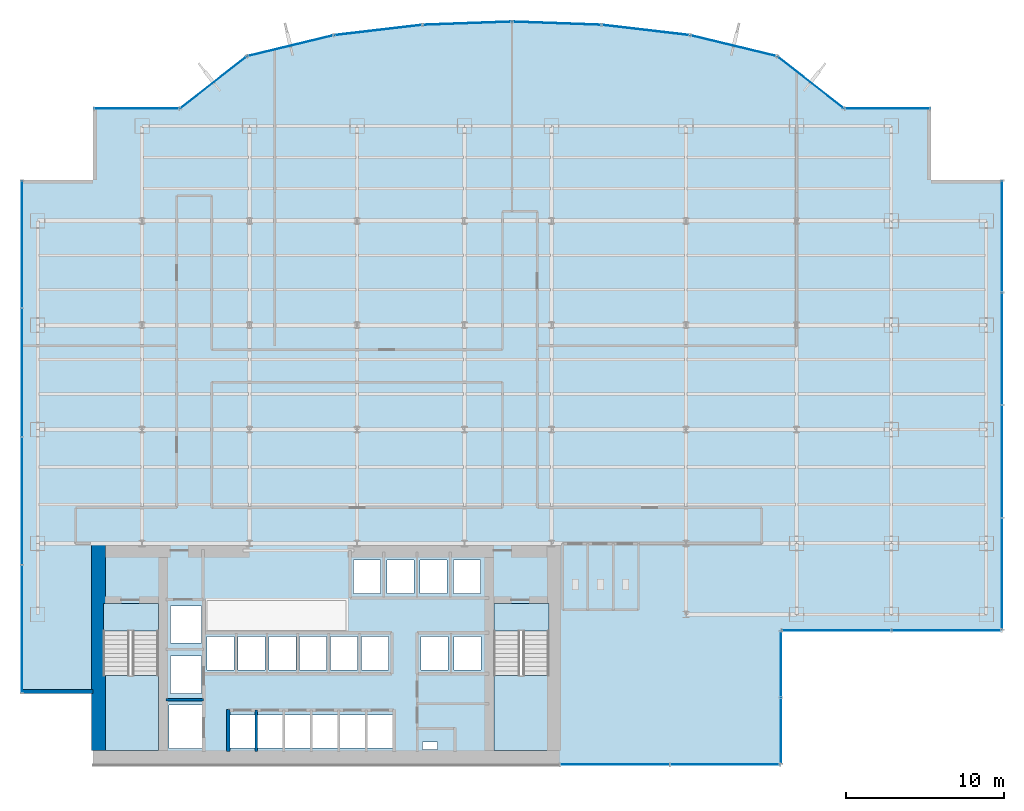
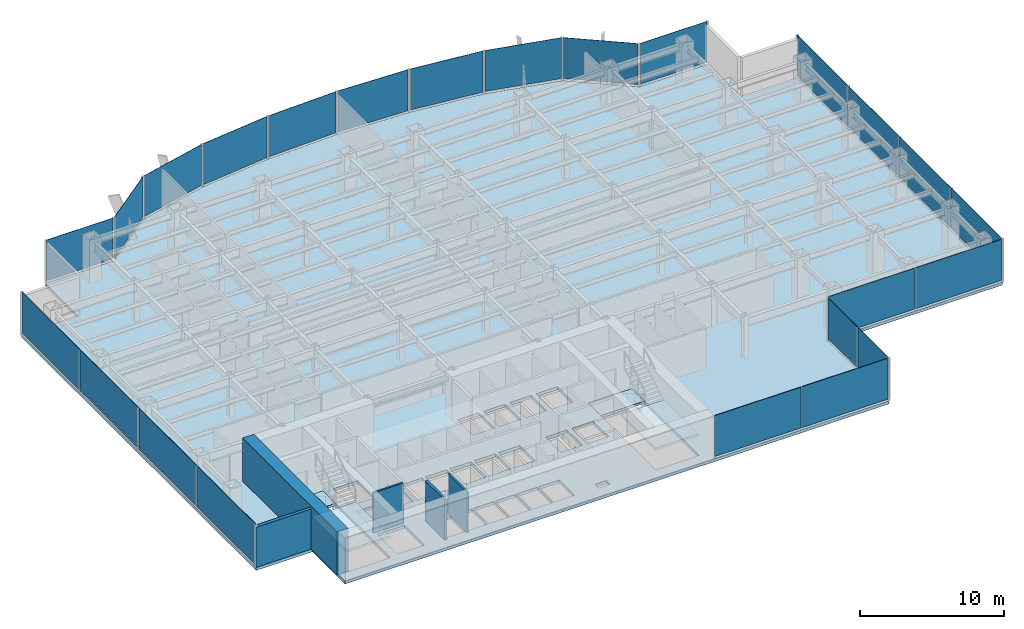
# One storey, part 16 of 22: 24 plates, 5 slabs, 5 walls, 17 elements without a shape of their own.
"""IFC4 building model written with IfcOpenShell, lengths in metres."""

from ifc_helpers import new_model, si_unit, derived_unit, direction, frame, frame_2d, origin, origin_2d, place, context, subcontext, project, spatial, polyline, rectangle, outline, extrude, source, transform, mapped, material, layer, layer_set, type_object, element, aggregate, save


model = new_model("IFC4")

# Units and contexts
model_context = context("Model", 3, precision=1e-05, world=origin(), true_north=direction((0.0, 1.0)))
body_context = subcontext(model_context, "Body", "Model", "MODEL_VIEW")
ifc_project = project(units=[si_unit("LENGTHUNIT", "METRE"), si_unit("AREAUNIT", "SQUARE_METRE"), si_unit("VOLUMEUNIT", "CUBIC_METRE"), si_unit("PLANEANGLEUNIT", "RADIAN"), si_unit("MASSUNIT", "GRAM", prefix="KILO"), derived_unit("THERMALTRANSMITTANCEUNIT", [(si_unit("POWERUNIT", "WATT"), 1), (si_unit("LENGTHUNIT", "METRE"), -2), (si_unit("THERMODYNAMICTEMPERATUREUNIT", "KELVIN"), -1)])], contexts=[model_context])

# Site, building, storey
site_placement = place(None, origin())
site = spatial("IfcSite", under=ifc_project, at=site_placement, CompositionType="ELEMENT")
building_placement = place(site_placement, origin())
building = spatial("IfcBuilding", under=site, at=building_placement, Name="Skarnbrae Concourse Arena and Tower", CompositionType="ELEMENT")
storey_placement = place(building_placement, frame((0.0, 0.0, 61.699951171875)))
storey = spatial("IfcBuildingStorey", under=building, at=storey_placement, Name="L14", CompositionType="ELEMENT", Elevation=61.699951171875)

# Stair, slab
ifc_material_1 = material(Name="Concrete 40 MPa (C40/50)", Category="concrete")
stair_type = type_object("IfcStairType", Name="STAIR-DOGLEG-1650", PredefinedType="HALF_TURN_STAIR", material=ifc_material_1)
stair_1_placement = place(storey_placement, origin())
stair_1 = element("IfcStair", 1, at=stair_1_placement, inside=storey, type_object=stair_type, Name="L14 Protected Exit Stair ST-1", PredefinedType="HALF_TURN_STAIR")
ifc_layer_1 = layer(ifc_material_1, 0.199951171875)
ifc_layer_set_1 = layer_set([ifc_layer_1], Name="Concrete 40 MPa (C40/50)")
slab_type_1 = type_object("IfcSlabType", Name="SLAB-LANDING-200", PredefinedType="LANDING", material=ifc_layer_set_1)
slab_1_placement = place(storey_placement, frame((0.0, 0.0, 1.625)))
slab_1 = element("IfcSlab", 2, at=slab_1_placement, type_object=slab_type_1, Name="ST-1 landing 1", PredefinedType="LANDING", context=body_context, shape_type="SweptSolid", body=[
    extrude(outline(polyline([(5.14990234375, 5.64990234375), (5.14990234375, 0.89990234375), (8.64990234375, 0.89990234375), (8.64990234375, 5.64990234375), (5.14990234375, 5.64990234375)])), origin(), (0.0, 0.0, 1.0), 0.199951171875),
])
aggregate(stair_1, [slab_1])

stair_2_placement = place(storey_placement, origin())
stair_2 = element("IfcStair", 3, at=stair_2_placement, inside=storey, type_object=stair_type, Name="L14 Protected Exit Stair ST-2", PredefinedType="HALF_TURN_STAIR")
slab_2_placement = place(storey_placement, frame((0.0, 0.0, 1.625)))
slab_2 = element("IfcSlab", 4, at=slab_2_placement, type_object=slab_type_1, Name="ST-2 landing 1", PredefinedType="LANDING", context=body_context, shape_type="SweptSolid", body=[
    extrude(outline(polyline([(29.85009765625, 5.64990234375), (29.85009765625, 0.89990234375), (33.35009765625, 0.89990234375), (33.35009765625, 5.64990234375), (29.85009765625, 5.64990234375)])), origin(), (0.0, 0.0, 1.0), 0.199951171875),
])
aggregate(stair_2, [slab_2])

# Slabs
slab_3_placement = place(storey_placement, frame((0.0, 0.0, -0.199951171875)))
element("IfcSlab", 5, at=slab_3_placement, inside=storey, type_object=slab_type_1, Name="L14 Core stair ST1 floor landing", PredefinedType="LANDING", context=body_context, shape_type="SweptSolid", body=[
    extrude(outline(polyline([(5.14990234375, 10.199951171875), (5.14990234375, 8.449951171875), (8.64990234375, 8.449951171875), (8.64990234375, 10.199951171875), (5.14990234375, 10.199951171875)])), origin(), (0.0, 0.0, 1.0), 0.199951171875),
])
slab_4_placement = place(storey_placement, frame((0.0, 0.0, -0.199951171875)))
element("IfcSlab", 6, at=slab_4_placement, inside=storey, type_object=slab_type_1, Name="L14 Core stair ST2 floor landing", PredefinedType="LANDING", context=body_context, shape_type="SweptSolid", body=[
    extrude(outline(polyline([(29.85009765625, 10.199951171875), (29.85009765625, 8.449951171875), (33.35009765625, 8.449951171875), (33.35009765625, 10.199951171875), (29.85009765625, 10.199951171875)])), origin(), (0.0, 0.0, 1.0), 0.199951171875),
])
ifc_layer_2 = layer(ifc_material_1, 0.25)
ifc_layer_set_2 = layer_set([ifc_layer_2], Name="Concrete 40 MPa (C40/50)")
slab_type_2 = type_object("IfcSlabType", Name="SLAB-TOWER-250", PredefinedType="FLOOR", material=ifc_layer_set_2)
slab_5_placement = place(storey_placement, frame((0.0, 0.0, -0.25)))
element("IfcSlab", 7, at=slab_5_placement, inside=storey, type_object=slab_type_2, Name="L14 Structural floor slab", PredefinedType="FLOOR", context=body_context, shape_type="SweptSolid", body=[
    extrude(outline(polyline([(4.5, 0.0), (48.0, 0.0), (48.0, 8.5), (62.0, 8.5), (62.0, 37.0), (57.5, 37.0), (57.5, 41.5), (52.0, 41.5), (47.766357421875, 44.811767578125), (42.2724609375, 46.140380859375), (36.65380859375, 46.796875), (31.0, 47.0), (25.34619140625, 46.796875), (19.7275390625, 46.140380859375), (14.233642578125, 44.811767578125), (10.0, 41.5), (4.5, 41.5), (4.5, 37.0), (0.0, 37.0), (0.0, 4.5), (4.5, 4.5), (4.5, 0.0)]), holes=[polyline([(13.14501953125, 3.155029296875), (14.7548828125, 3.155029296875), (14.7548828125, 1.044921875), (13.14501953125, 1.044921875), (13.14501953125, 3.155029296875)]), polyline([(16.4951171875, 3.155029296875), (16.4951171875, 1.044921875), (14.885009765625, 1.044921875), (14.885009765625, 3.155029296875), (16.4951171875, 3.155029296875)]), polyline([(18.235107421875, 3.155029296875), (18.235107421875, 1.044921875), (16.625, 1.044921875), (16.625, 3.155029296875), (18.235107421875, 3.155029296875)]), polyline([(18.364990234375, 3.155029296875), (19.97509765625, 3.155029296875), (19.97509765625, 1.044921875), (18.364990234375, 1.044921875), (18.364990234375, 3.155029296875)]), polyline([(11.455078125, 3.780029296875), (11.455078125, 1.02001953125), (9.294921875, 1.02001953125), (9.294921875, 3.780029296875), (11.455078125, 3.780029296875)]), polyline([(8.64990234375, 0.89990234375), (5.14990234375, 0.89990234375), (5.14990234375, 10.199951171875), (8.64990234375, 10.199951171875), (8.64990234375, 0.89990234375)]), polyline([(9.39501953125, 6.8798828125), (11.35498046875, 6.8798828125), (11.35498046875, 4.52001953125), (9.39501953125, 4.52001953125), (9.39501953125, 6.8798828125)]), polyline([(13.429931640625, 8.10498046875), (13.429931640625, 5.9951171875), (11.719970703125, 5.9951171875), (11.719970703125, 8.10498046875), (13.429931640625, 8.10498046875)]), polyline([(15.3798828125, 8.10498046875), (15.3798828125, 5.9951171875), (13.669921875, 5.9951171875), (13.669921875, 8.10498046875), (15.3798828125, 8.10498046875)]), polyline([(15.6201171875, 8.10498046875), (17.330078125, 8.10498046875), (17.330078125, 5.9951171875), (15.6201171875, 5.9951171875), (15.6201171875, 8.10498046875)]), polyline([(19.280029296875, 8.10498046875), (19.280029296875, 5.9951171875), (17.570068359375, 5.9951171875), (17.570068359375, 8.10498046875), (19.280029296875, 8.10498046875)]), polyline([(11.35498046875, 10.054931640625), (11.35498046875, 7.695068359375), (9.39501953125, 7.695068359375), (9.39501953125, 10.054931640625), (11.35498046875, 10.054931640625)]), polyline([(25.35009765625, 1.449951171875), (26.280029296875, 1.449951171875), (26.280029296875, 0.949951171875), (25.35009765625, 0.949951171875), (25.35009765625, 1.449951171875)]), polyline([(21.715087890625, 3.155029296875), (21.715087890625, 1.044921875), (20.10498046875, 1.044921875), (20.10498046875, 3.155029296875), (21.715087890625, 3.155029296875)]), polyline([(23.455078125, 3.155029296875), (23.455078125, 1.044921875), (21.844970703125, 1.044921875), (21.844970703125, 3.155029296875), (23.455078125, 3.155029296875)]), polyline([(33.35009765625, 10.199951171875), (33.35009765625, 0.89990234375), (29.85009765625, 0.89990234375), (29.85009765625, 10.199951171875), (33.35009765625, 10.199951171875)]), polyline([(21.22998046875, 8.10498046875), (21.22998046875, 5.9951171875), (19.52001953125, 5.9951171875), (19.52001953125, 8.10498046875), (21.22998046875, 8.10498046875)]), polyline([(23.179931640625, 8.10498046875), (23.179931640625, 5.9951171875), (21.469970703125, 5.9951171875), (21.469970703125, 8.10498046875), (23.179931640625, 8.10498046875)]), polyline([(25.235107421875, 8.10498046875), (26.945068359375, 8.10498046875), (26.945068359375, 5.9951171875), (25.235107421875, 5.9951171875), (25.235107421875, 8.10498046875)]), polyline([(29.044921875, 8.10498046875), (29.044921875, 5.9951171875), (27.3349609375, 5.9951171875), (27.3349609375, 8.10498046875), (29.044921875, 8.10498046875)]), polyline([(22.695068359375, 12.955078125), (22.695068359375, 10.844970703125), (20.985107421875, 10.844970703125), (20.985107421875, 12.955078125), (22.695068359375, 12.955078125)]), polyline([(23.0849609375, 12.955078125), (24.794921875, 12.955078125), (24.794921875, 10.844970703125), (23.0849609375, 10.844970703125), (23.0849609375, 12.955078125)]), polyline([(26.89501953125, 12.955078125), (26.89501953125, 10.844970703125), (25.18505859375, 10.844970703125), (25.18505859375, 12.955078125), (26.89501953125, 12.955078125)]), polyline([(28.9951171875, 12.955078125), (28.9951171875, 10.844970703125), (27.284912109375, 10.844970703125), (27.284912109375, 12.955078125), (28.9951171875, 12.955078125)])]), origin(), (0.0, 0.0, 1.0), 0.25),
])

# Curtain wall, plates
ifc_material_2 = material(Name="Bronze anodised aluminium 6063-T6", Category="aluminium")
curtain_wall_type_1 = type_object("IfcCurtainWallType", Name="CW-SYS-02-LOWZONE", PredefinedType="USERDEFINED", material=ifc_material_2)
curtain_wall_1_placement = place(storey_placement, origin())
curtain_wall_1 = element("IfcCurtainWall", 8, at=curtain_wall_1_placement, inside=storey, type_object=curtain_wall_type_1, Name="L14 Unitised curtain wall CW-L14-SE-SPINE", ObjectType="UNITISED CURTAIN WALL", PredefinedType="USERDEFINED")
ifc_material_3 = material(Name="Low-E triple insulating glass", Category="glass")
ifc_layer_3 = layer(ifc_material_3, 0.031982421875)
ifc_layer_set_3 = layer_set([ifc_layer_3], Name="Low-E triple insulating glass")
plate_type_1 = type_object("IfcPlateType", Name="CWP-CW-02", PredefinedType="CURTAIN_PANEL", material=ifc_layer_set_3)
shared_shape_1 = source(origin(), body_context, "Body", "SweptSolid", [
    extrude(rectangle(XDim=6.8798828125, YDim=0.031982421875, at=origin_2d()), origin(), (0.0, 0.0, 1.0), 3.4599609375),
])
plate_1_placement = place(storey_placement, frame((37.52001953125, 0.0, 0.190185546875), z_axis=(0.0, 0.0, 1.0), x_axis=(1.0, 0.0, 0.0)))
plate_1 = element("IfcPlate", 9, at=plate_1_placement, type_object=plate_type_1, Name="CW-L14-SE-SPINE Low-E Glazing Panel 1", PredefinedType="CURTAIN_PANEL", context=body_context, shape_type="MappedRepresentation", body=[
    mapped(shared_shape_1, transform((0.0, 0.0, 0.0))),
])
plate_2_placement = place(storey_placement, frame((44.47998046875, 0.0, 0.190185546875), z_axis=(0.0, 0.0, 1.0), x_axis=(1.0, 0.0, 0.0)))
plate_2 = element("IfcPlate", 10, at=plate_2_placement, type_object=plate_type_1, Name="CW-L14-SE-SPINE Low-E Glazing Panel 2", PredefinedType="CURTAIN_PANEL", context=body_context, shape_type="MappedRepresentation", body=[
    mapped(shared_shape_1, transform((0.0, 0.0, 0.0))),
])
aggregate(curtain_wall_1, [plate_1, plate_2])

curtain_wall_2_placement = place(storey_placement, origin())
curtain_wall_2 = element("IfcCurtainWall", 11, at=curtain_wall_2_placement, inside=storey, type_object=curtain_wall_type_1, Name="L14 Unitised curtain wall CW-L14-E03", ObjectType="UNITISED CURTAIN WALL", PredefinedType="USERDEFINED")
plate_3_placement = place(storey_placement, frame((51.52001953125, 8.5, 0.190185546875), z_axis=(0.0, 0.0, 1.0), x_axis=(1.0, 0.0, 0.0)))
plate_3 = element("IfcPlate", 12, at=plate_3_placement, type_object=plate_type_1, Name="CW-L14-E03 Low-E Glazing Panel 1", PredefinedType="CURTAIN_PANEL", context=body_context, shape_type="MappedRepresentation", body=[
    mapped(shared_shape_1, transform((0.0, 0.0, 0.0))),
])
plate_4_placement = place(storey_placement, frame((58.47998046875, 8.5, 0.190185546875), z_axis=(0.0, 0.0, 1.0), x_axis=(1.0, 0.0, 0.0)))
plate_4 = element("IfcPlate", 13, at=plate_4_placement, type_object=plate_type_1, Name="CW-L14-E03 Low-E Glazing Panel 2", PredefinedType="CURTAIN_PANEL", context=body_context, shape_type="MappedRepresentation", body=[
    mapped(shared_shape_1, transform((0.0, 0.0, 0.0))),
])
aggregate(curtain_wall_2, [plate_3, plate_4])

curtain_wall_3_placement = place(storey_placement, origin())
curtain_wall_3 = element("IfcCurtainWall", 14, at=curtain_wall_3_placement, inside=storey, type_object=curtain_wall_type_1, Name="L14 Unitised curtain wall CW-L14-E02", ObjectType="UNITISED CURTAIN WALL", PredefinedType="USERDEFINED")
shared_shape_2 = source(origin(), body_context, "Body", "SweptSolid", [
    extrude(rectangle(XDim=4.1298828125, YDim=0.031982421875, at=origin_2d()), origin(), (0.0, 0.0, 1.0), 3.4599609375),
])
plate_5_placement = place(storey_placement, frame((48.0, 2.14501953125, 0.190185546875), z_axis=(0.0, 0.0, 1.0), x_axis=(0.0, 1.0, 0.0)))
plate_5 = element("IfcPlate", 15, at=plate_5_placement, type_object=plate_type_1, Name="CW-L14-E02 Low-E Glazing Panel 1", PredefinedType="CURTAIN_PANEL", context=body_context, shape_type="MappedRepresentation", body=[
    mapped(shared_shape_2, transform((0.0, 0.0, 0.0))),
])
plate_6_placement = place(storey_placement, frame((48.0, 6.35498046875, 0.190185546875), z_axis=(0.0, 0.0, 1.0), x_axis=(0.0, 1.0, 0.0)))
plate_6 = element("IfcPlate", 16, at=plate_6_placement, type_object=plate_type_1, Name="CW-L14-E02 Low-E Glazing Panel 2", PredefinedType="CURTAIN_PANEL", context=body_context, shape_type="MappedRepresentation", body=[
    mapped(shared_shape_2, transform((0.0, 0.0, 0.0))),
])
aggregate(curtain_wall_3, [plate_5, plate_6])

curtain_wall_4_placement = place(storey_placement, origin())
curtain_wall_4 = element("IfcCurtainWall", 17, at=curtain_wall_4_placement, inside=storey, type_object=curtain_wall_type_1, Name="L14 Unitised curtain wall CW-L14-E04", ObjectType="UNITISED CURTAIN WALL", PredefinedType="USERDEFINED")
shared_shape_3 = source(origin(), body_context, "Body", "SweptSolid", [
    extrude(rectangle(XDim=7.0048828125, YDim=0.031982421875, at=origin_2d()), origin(), (0.0, 0.0, 1.0), 3.4599609375),
])
plate_7_placement = place(storey_placement, frame((62.0, 12.08251953125, 0.190185546875), z_axis=(0.0, 0.0, 1.0), x_axis=(0.0, 1.0, 0.0)))
plate_7 = element("IfcPlate", 18, at=plate_7_placement, type_object=plate_type_1, Name="CW-L14-E04 Low-E Glazing Panel 1", PredefinedType="CURTAIN_PANEL", context=body_context, shape_type="MappedRepresentation", body=[
    mapped(shared_shape_3, transform((0.0, 0.0, 0.0))),
])
plate_8_placement = place(storey_placement, frame((62.0, 33.41748046875, 0.190185546875), z_axis=(0.0, 0.0, 1.0), x_axis=(0.0, 1.0, 0.0)))
plate_8 = element("IfcPlate", 19, at=plate_8_placement, type_object=plate_type_1, Name="CW-L14-E04 Low-E Glazing Panel 4", PredefinedType="CURTAIN_PANEL", context=body_context, shape_type="MappedRepresentation", body=[
    mapped(shared_shape_3, transform((0.0, 0.0, 0.0))),
])
shared_shape_4 = source(origin(), body_context, "Body", "SweptSolid", [
    extrude(rectangle(XDim=7.044921875, YDim=0.031982421875, at=origin_2d()), origin(), (0.0, 0.0, 1.0), 3.4599609375),
])
plate_9_placement = place(storey_placement, frame((62.0, 19.1875, 0.190185546875), z_axis=(0.0, 0.0, 1.0), x_axis=(0.0, 1.0, 0.0)))
plate_9 = element("IfcPlate", 20, at=plate_9_placement, type_object=plate_type_1, Name="CW-L14-E04 Low-E Glazing Panel 2", PredefinedType="CURTAIN_PANEL", context=body_context, shape_type="MappedRepresentation", body=[
    mapped(shared_shape_4, transform((0.0, 0.0, 0.0))),
])
plate_10_placement = place(storey_placement, frame((62.0, 26.3125, 0.190185546875), z_axis=(0.0, 0.0, 1.0), x_axis=(0.0, 1.0, 0.0)))
plate_10 = element("IfcPlate", 21, at=plate_10_placement, type_object=plate_type_1, Name="CW-L14-E04 Low-E Glazing Panel 3", PredefinedType="CURTAIN_PANEL", context=body_context, shape_type="MappedRepresentation", body=[
    mapped(shared_shape_4, transform((0.0, 0.0, 0.0))),
])
aggregate(curtain_wall_4, [plate_7, plate_9, plate_10, plate_8])

# Curtain wall, plate
curtain_wall_5_placement = place(storey_placement, origin())
curtain_wall_5 = element("IfcCurtainWall", 22, at=curtain_wall_5_placement, inside=storey, type_object=curtain_wall_type_1, Name="L14 Unitised curtain wall CW-L14-E07", ObjectType="UNITISED CURTAIN WALL", PredefinedType="USERDEFINED")
shared_shape_5 = source(origin(), body_context, "Body", "SweptSolid", [
    extrude(rectangle(XDim=5.340087890625, YDim=0.031982421875, at=origin_2d()), origin(), (0.0, 0.0, 1.0), 3.4599609375),
])
plate_11_placement = place(storey_placement, frame((54.75, 41.5, 0.190185546875), z_axis=(0.0, 0.0, 1.0), x_axis=(-1.0, 0.0, 0.0)))
plate_11 = element("IfcPlate", 23, at=plate_11_placement, type_object=plate_type_1, Name="CW-L14-E07 Low-E Glazing Panel 1", PredefinedType="CURTAIN_PANEL", context=body_context, shape_type="MappedRepresentation", body=[
    mapped(shared_shape_5, transform((0.0, 0.0, 0.0))),
])
aggregate(curtain_wall_5, [plate_11])

curtain_wall_6_placement = place(storey_placement, origin())
curtain_wall_6 = element("IfcCurtainWall", 24, at=curtain_wall_6_placement, inside=storey, type_object=curtain_wall_type_1, Name="L14 Unitised curtain wall CW-L14-E16", ObjectType="UNITISED CURTAIN WALL", PredefinedType="USERDEFINED")
plate_12_placement = place(storey_placement, frame((7.25, 41.5, 0.190185546875), z_axis=(0.0, 0.0, 1.0), x_axis=(-1.0, 0.0, 0.0)))
plate_12 = element("IfcPlate", 25, at=plate_12_placement, type_object=plate_type_1, Name="CW-L14-E16 Low-E Glazing Panel 1", PredefinedType="CURTAIN_PANEL", context=body_context, shape_type="MappedRepresentation", body=[
    mapped(shared_shape_5, transform((0.0, 0.0, 0.0))),
])
aggregate(curtain_wall_6, [plate_12])

curtain_wall_7_placement = place(storey_placement, origin())
curtain_wall_7 = element("IfcCurtainWall", 26, at=curtain_wall_7_placement, inside=storey, type_object=curtain_wall_type_1, Name="L14 Unitised curtain wall CW-L14-E08", ObjectType="UNITISED CURTAIN WALL", PredefinedType="USERDEFINED")
shared_shape_6 = source(origin(), body_context, "Body", "SweptSolid", [
    extrude(rectangle(XDim=5.215087890625, YDim=0.031982421875, at=origin_2d()), origin(), (0.0, 0.0, 1.0), 3.4599609375),
])
plate_13_placement = place(storey_placement, frame((49.88330078125, 43.156005859375, 0.190185546875), z_axis=(0.0, 0.0, 1.0), x_axis=(-0.787651726054, 0.616120733658, 0.0)))
plate_13 = element("IfcPlate", 27, at=plate_13_placement, type_object=plate_type_1, Name="CW-L14-E08 Low-E Glazing Panel 1", PredefinedType="CURTAIN_PANEL", context=body_context, shape_type="MappedRepresentation", body=[
    mapped(shared_shape_6, transform((0.0, 0.0, 0.0))),
])
aggregate(curtain_wall_7, [plate_13])

curtain_wall_8_placement = place(storey_placement, origin())
curtain_wall_8 = element("IfcCurtainWall", 28, at=curtain_wall_8_placement, inside=storey, type_object=curtain_wall_type_1, Name="L14 Unitised curtain wall CW-L14-E15", ObjectType="UNITISED CURTAIN WALL", PredefinedType="USERDEFINED")
plate_14_placement = place(storey_placement, frame((12.11669921875, 43.156005859375, 0.190185546875), z_axis=(0.0, 0.0, 1.0), x_axis=(-0.787651726054, -0.616120733658, 0.0)))
plate_14 = element("IfcPlate", 29, at=plate_14_placement, type_object=plate_type_1, Name="CW-L14-E15 Low-E Glazing Panel 1", PredefinedType="CURTAIN_PANEL", context=body_context, shape_type="MappedRepresentation", body=[
    mapped(shared_shape_6, transform((0.0, 0.0, 0.0))),
])
aggregate(curtain_wall_8, [plate_14])

curtain_wall_9_placement = place(storey_placement, origin())
curtain_wall_9 = element("IfcCurtainWall", 30, at=curtain_wall_9_placement, inside=storey, type_object=curtain_wall_type_1, Name="L14 Unitised curtain wall CW-L14-E09", ObjectType="UNITISED CURTAIN WALL", PredefinedType="USERDEFINED")
shared_shape_7 = source(origin(), body_context, "Body", "SweptSolid", [
    extrude(rectangle(XDim=5.4921875, YDim=0.031982421875, at=origin_2d()), origin(), (0.0, 0.0, 1.0), 3.4599609375),
])
plate_15_placement = place(storey_placement, frame((45.019287109375, 45.47607421875, 0.190185546875), z_axis=(0.0, 0.0, 1.0), x_axis=(-0.971973721569, 0.235089524607, 0.0)))
plate_15 = element("IfcPlate", 31, at=plate_15_placement, type_object=plate_type_1, Name="CW-L14-E09 Low-E Glazing Panel 1", PredefinedType="CURTAIN_PANEL", context=body_context, shape_type="MappedRepresentation", body=[
    mapped(shared_shape_7, transform((0.0, 0.0, 0.0))),
])
aggregate(curtain_wall_9, [plate_15])

curtain_wall_10_placement = place(storey_placement, origin())
curtain_wall_10 = element("IfcCurtainWall", 32, at=curtain_wall_10_placement, inside=storey, type_object=curtain_wall_type_1, Name="L14 Unitised curtain wall CW-L14-E14", ObjectType="UNITISED CURTAIN WALL", PredefinedType="USERDEFINED")
plate_16_placement = place(storey_placement, frame((16.980712890625, 45.47607421875, 0.190185546875), z_axis=(0.0, 0.0, 1.0), x_axis=(-0.971973721569, -0.235089524607, 0.0)))
plate_16 = element("IfcPlate", 33, at=plate_16_placement, type_object=plate_type_1, Name="CW-L14-E14 Low-E Glazing Panel 1", PredefinedType="CURTAIN_PANEL", context=body_context, shape_type="MappedRepresentation", body=[
    mapped(shared_shape_7, transform((0.0, 0.0, 0.0))),
])
aggregate(curtain_wall_10, [plate_16])

# Curtain wall, plates
curtain_wall_11_placement = place(storey_placement, origin())
curtain_wall_11 = element("IfcCurtainWall", 34, at=curtain_wall_11_placement, inside=storey, type_object=curtain_wall_type_1, Name="L14 Unitised curtain wall CW-L14-E19", ObjectType="UNITISED CURTAIN WALL", PredefinedType="USERDEFINED")
shared_shape_8 = source(origin(), body_context, "Body", "SweptSolid", [
    extrude(rectangle(XDim=8.0048828125, YDim=0.031982421875, at=origin_2d()), origin(), (0.0, 0.0, 1.0), 3.4599609375),
])
plate_17_placement = place(storey_placement, frame((0.0, 32.91748046875, 0.190185546875), z_axis=(0.0, 0.0, 1.0), x_axis=(0.0, -1.0, 0.0)))
plate_17 = element("IfcPlate", 35, at=plate_17_placement, type_object=plate_type_1, Name="CW-L14-E19 Low-E Glazing Panel 1", PredefinedType="CURTAIN_PANEL", context=body_context, shape_type="MappedRepresentation", body=[
    mapped(shared_shape_8, transform((0.0, 0.0, 0.0))),
])
plate_18_placement = place(storey_placement, frame((0.0, 8.58251953125, 0.190185546875), z_axis=(0.0, 0.0, 1.0), x_axis=(0.0, -1.0, 0.0)))
plate_18 = element("IfcPlate", 36, at=plate_18_placement, type_object=plate_type_1, Name="CW-L14-E19 Low-E Glazing Panel 4", PredefinedType="CURTAIN_PANEL", context=body_context, shape_type="MappedRepresentation", body=[
    mapped(shared_shape_8, transform((0.0, 0.0, 0.0))),
])
shared_shape_9 = source(origin(), body_context, "Body", "SweptSolid", [
    extrude(rectangle(XDim=8.044921875, YDim=0.031982421875, at=origin_2d()), origin(), (0.0, 0.0, 1.0), 3.4599609375),
])
plate_19_placement = place(storey_placement, frame((0.0, 24.8125, 0.190185546875), z_axis=(0.0, 0.0, 1.0), x_axis=(0.0, -1.0, 0.0)))
plate_19 = element("IfcPlate", 37, at=plate_19_placement, type_object=plate_type_1, Name="CW-L14-E19 Low-E Glazing Panel 2", PredefinedType="CURTAIN_PANEL", context=body_context, shape_type="MappedRepresentation", body=[
    mapped(shared_shape_9, transform((0.0, 0.0, 0.0))),
])
plate_20_placement = place(storey_placement, frame((0.0, 16.6875, 0.190185546875), z_axis=(0.0, 0.0, 1.0), x_axis=(0.0, -1.0, 0.0)))
plate_20 = element("IfcPlate", 38, at=plate_20_placement, type_object=plate_type_1, Name="CW-L14-E19 Low-E Glazing Panel 3", PredefinedType="CURTAIN_PANEL", context=body_context, shape_type="MappedRepresentation", body=[
    mapped(shared_shape_9, transform((0.0, 0.0, 0.0))),
])
aggregate(curtain_wall_11, [plate_17, plate_19, plate_20, plate_18])

# Curtain wall, plate
curtain_wall_type_2 = type_object("IfcCurtainWallType", Name="CW-SYS-03-PORTAL", PredefinedType="USERDEFINED", material=ifc_material_2)
curtain_wall_12_placement = place(storey_placement, origin())
curtain_wall_12 = element("IfcCurtainWall", 39, at=curtain_wall_12_placement, inside=storey, type_object=curtain_wall_type_2, Name="L14 Unitised curtain wall CW-L14-E10", ObjectType="UNITISED CURTAIN WALL", PredefinedType="USERDEFINED")
ifc_layer_4 = layer(ifc_material_3, 0.033935546875)
ifc_layer_set_4 = layer_set([ifc_layer_4], Name="Low-E triple insulating glass")
plate_type_2 = type_object("IfcPlateType", Name="CWP-CW-03", PredefinedType="CURTAIN_PANEL", material=ifc_layer_set_4)
shared_shape_10 = source(origin(), body_context, "Body", "SweptSolid", [
    extrude(rectangle(XDim=5.49658203125, YDim=0.033935546875, at=origin_2d()), origin(), (0.0, 0.0, 1.0), 3.47998046875),
])
plate_21_placement = place(storey_placement, frame((39.463134765625, 46.46875, 0.170166015625), z_axis=(0.0, 0.0, 1.0), x_axis=(-0.99324457001, 0.116039752435, 0.0)))
plate_21 = element("IfcPlate", 40, at=plate_21_placement, type_object=plate_type_2, Name="CW-L14-E10 Low-E Glazing Panel 1", PredefinedType="CURTAIN_PANEL", context=body_context, shape_type="MappedRepresentation", body=[
    mapped(shared_shape_10, transform((0.0, 0.0, 0.0))),
])
aggregate(curtain_wall_12, [plate_21])

curtain_wall_13_placement = place(storey_placement, origin())
curtain_wall_13 = element("IfcCurtainWall", 41, at=curtain_wall_13_placement, inside=storey, type_object=curtain_wall_type_2, Name="L14 Unitised curtain wall CW-L14-E13", ObjectType="UNITISED CURTAIN WALL", PredefinedType="USERDEFINED")
plate_22_placement = place(storey_placement, frame((22.536865234375, 46.46875, 0.170166015625), z_axis=(0.0, 0.0, 1.0), x_axis=(-0.99324457001, -0.116039752435, 0.0)))
plate_22 = element("IfcPlate", 42, at=plate_22_placement, type_object=plate_type_2, Name="CW-L14-E13 Low-E Glazing Panel 1", PredefinedType="CURTAIN_PANEL", context=body_context, shape_type="MappedRepresentation", body=[
    mapped(shared_shape_10, transform((0.0, 0.0, 0.0))),
])
aggregate(curtain_wall_13, [plate_22])

curtain_wall_14_placement = place(storey_placement, origin())
curtain_wall_14 = element("IfcCurtainWall", 43, at=curtain_wall_14_placement, inside=storey, type_object=curtain_wall_type_2, Name="L14 Unitised curtain wall CW-L14-E11", ObjectType="UNITISED CURTAIN WALL", PredefinedType="USERDEFINED")
shared_shape_11 = source(origin(), body_context, "Body", "SweptSolid", [
    extrude(rectangle(XDim=5.49755859375, YDim=0.033935546875, at=origin_2d()), origin(), (0.0, 0.0, 1.0), 3.47998046875),
])
plate_23_placement = place(storey_placement, frame((33.826904296875, 46.8984375, 0.170166015625), z_axis=(0.0, 0.0, 1.0), x_axis=(-0.999355425188, 0.035898943527, 0.0)))
plate_23 = element("IfcPlate", 44, at=plate_23_placement, type_object=plate_type_2, Name="CW-L14-E11 Low-E Glazing Panel 1", PredefinedType="CURTAIN_PANEL", context=body_context, shape_type="MappedRepresentation", body=[
    mapped(shared_shape_11, transform((0.0, 0.0, 0.0))),
])
aggregate(curtain_wall_14, [plate_23])

curtain_wall_15_placement = place(storey_placement, origin())
curtain_wall_15 = element("IfcCurtainWall", 45, at=curtain_wall_15_placement, inside=storey, type_object=curtain_wall_type_2, Name="L14 Unitised curtain wall CW-L14-E12", ObjectType="UNITISED CURTAIN WALL", PredefinedType="USERDEFINED")
plate_24_placement = place(storey_placement, frame((28.173095703125, 46.8984375, 0.170166015625), z_axis=(0.0, 0.0, 1.0), x_axis=(-0.999355425188, -0.035898943527, 0.0)))
plate_24 = element("IfcPlate", 46, at=plate_24_placement, type_object=plate_type_2, Name="CW-L14-E12 Low-E Glazing Panel 1", PredefinedType="CURTAIN_PANEL", context=body_context, shape_type="MappedRepresentation", body=[
    mapped(shared_shape_11, transform((0.0, 0.0, 0.0))),
])
aggregate(curtain_wall_15, [plate_24])

# Walls
ifc_material_4 = material(Name="Concrete 70 MPa (C70/85)", Category="concrete")
ifc_layer_5 = layer(ifc_material_4, 0.89990234375)
ifc_layer_set_5 = layer_set([ifc_layer_5], Name="Concrete 70 MPa (C70/85)")
wall_type_1 = type_object("IfcWallType", Name="WALL-CORE-900-C70", PredefinedType="SHEAR", material=ifc_layer_set_5)
shared_shape_12 = source(origin(), body_context, "Body", "SweptSolid", [
    extrude(rectangle(XDim=13.10009765625, YDim=0.89990234375, at=frame_2d((6.550048828125, 0.0))), origin(), (0.0, 0.0, 1.0), 3.650146484375),
])
wall_1_placement = place(storey_placement, frame((4.85009765625, 0.89990234375, 0.0), z_axis=(0.0, 0.0, 1.0), x_axis=(0.0, 1.0, 0.0)))
element("IfcWall", 47, at=wall_1_placement, inside=storey, type_object=wall_type_1, Name="L14 Rear core shear wall CW-W", PredefinedType="SHEAR", context=body_context, shape_type="MappedRepresentation", body=[
    mapped(shared_shape_12, transform((0.0, 0.0, 0.0))),
])
ifc_material_5 = material(Name="Precast concrete 40 MPa (C40/50)", Category="concrete")
ifc_layer_6 = layer(ifc_material_5, 0.25)
ifc_layer_set_6 = layer_set([ifc_layer_6], Name="Precast concrete 40 MPa (C40/50)")
wall_type_2 = type_object("IfcWallType", Name="WALL-EXT-SPANDREL-250", PredefinedType="STANDARD", material=ifc_layer_set_6)
shared_shape_13 = source(origin(), body_context, "Body", "SweptSolid", [
    extrude(rectangle(XDim=4.5, YDim=0.25, at=frame_2d((2.25, 0.0))), origin(), (0.0, 0.0, 1.0), 3.400146484375),
])
wall_2_placement = place(storey_placement, frame((0.0, 4.625, 0.0), z_axis=(0.0, 0.0, 1.0), x_axis=(1.0, 0.0, 0.0)))
element("IfcWall", 48, at=wall_2_placement, inside=storey, type_object=wall_type_2, Name="L14 Notched corner insulated return wall 20", PredefinedType="STANDARD", context=body_context, shape_type="MappedRepresentation", body=[
    mapped(shared_shape_13, transform((0.0, 0.0, 0.0))),
])
ifc_material_6 = material(Name="Gypsum board on cold-formed steel studs", Category="steel")
ifc_layer_7 = layer(ifc_material_6, 0.14990234375)
ifc_layer_set_7 = layer_set([ifc_layer_7], Name="Gypsum board on cold-formed steel studs")
wall_type_3 = type_object("IfcWallType", Name="WALL-PART-150", PredefinedType="PARTITIONING", material=ifc_layer_set_7)
shared_shape_14 = source(origin(), body_context, "Body", "SweptSolid", [
    extrude(rectangle(XDim=2.39990234375, YDim=0.14990234375, at=frame_2d((1.199951171875, 0.0))), origin(), (0.0, 0.0, 1.0), 3.400146484375),
])
wall_3_placement = place(storey_placement, frame((9.10009765625, 4.10009765625, 0.0), z_axis=(0.0, 0.0, 1.0), x_axis=(1.0, 0.0, 0.0)))
element("IfcWall", 49, at=wall_3_placement, inside=storey, type_object=wall_type_3, Name="L14 Interior partition wall W-L14-FL-D1", PredefinedType="PARTITIONING", context=body_context, shape_type="MappedRepresentation", body=[
    mapped(shared_shape_14, transform((0.0, 0.0, 0.0))),
])
ifc_layer_8 = layer(ifc_material_6, 0.199951171875)
ifc_layer_set_8 = layer_set([ifc_layer_8], Name="Gypsum board on cold-formed steel studs")
wall_type_4 = type_object("IfcWallType", Name="WALL-PART-200-2HR", PredefinedType="PARTITIONING", material=ifc_layer_set_8)
shared_shape_15 = source(origin(), body_context, "Body", "SweptSolid", [
    extrude(rectangle(XDim=2.64990234375, YDim=0.199951171875, at=frame_2d((1.324951171875, 0.0))), origin(), (0.0, 0.0, 1.0), 3.400146484375),
])
wall_4_placement = place(storey_placement, frame((13.050048828125, 0.85009765625, 0.0), z_axis=(0.0, 0.0, 1.0), x_axis=(0.0, 1.0, 0.0)))
element("IfcWall", 50, at=wall_4_placement, inside=storey, type_object=wall_type_4, Name="L14 Interior partition wall W-L14-B1-W", PredefinedType="PARTITIONING", context=body_context, shape_type="MappedRepresentation", body=[
    mapped(shared_shape_15, transform((0.0, 0.0, 0.0))),
])
shared_shape_16 = source(origin(), body_context, "Body", "SweptSolid", [
    extrude(rectangle(XDim=2.599853515625, YDim=0.14990234375, at=frame_2d((1.2998046875, 0.0))), origin(), (0.0, 0.0, 1.0), 3.400146484375),
])
wall_5_placement = place(storey_placement, frame((14.820068359375, 0.85009765625, 0.0), z_axis=(0.0, 0.0, 1.0), x_axis=(0.0, 1.0, 0.0)))
element("IfcWall", 51, at=wall_5_placement, inside=storey, type_object=wall_type_3, Name="L14 Interior partition wall W-L14-B1-P1", PredefinedType="PARTITIONING", context=body_context, shape_type="MappedRepresentation", body=[
    mapped(shared_shape_16, transform((0.0, 0.0, 0.0))),
])

save(model, "model.ifc")
